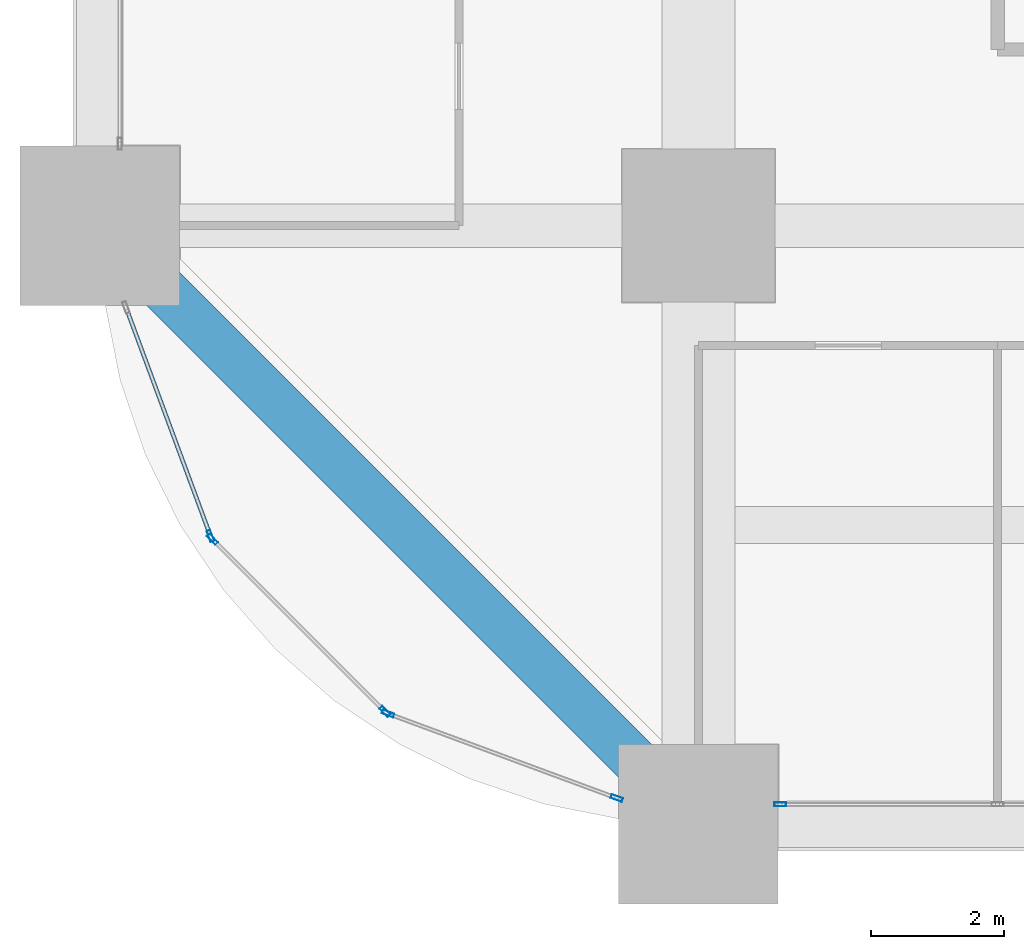
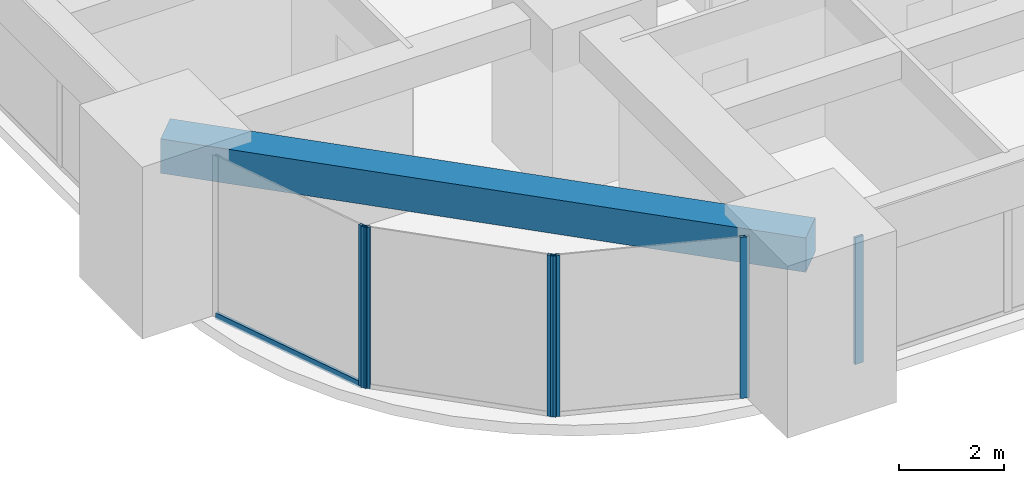
# One storey, part 2 of 44: 7 members, 1 beam, 4 elements without a shape of their own.
"""IFC4 building model written with IfcOpenShell, lengths in metres."""

from ifc_helpers import new_model, si_unit, direction, frame, origin, origin_2d, place, context, subcontext, project, spatial, rectangle, hollow_rectangle, extrude, material, material_profile, profile_set, type_object, element, aggregate, save


model = new_model("IFC4")

# Units and contexts
model_context = context("Model", 3, precision=1e-05, world=origin(), true_north=direction((0.0, 1.0)))
body_context = subcontext(model_context, "Body", "Model", "MODEL_VIEW")
ifc_project = project(units=[si_unit("LENGTHUNIT", "METRE"), si_unit("AREAUNIT", "SQUARE_METRE"), si_unit("VOLUMEUNIT", "CUBIC_METRE"), si_unit("PLANEANGLEUNIT", "RADIAN"), si_unit("MASSUNIT", "GRAM", prefix="KILO")], contexts=[model_context])

# Site, building, storey
site_placement = place(None, origin())
site = spatial("IfcSite", under=ifc_project, at=site_placement, CompositionType="ELEMENT")
building_placement = place(site_placement, origin())
building = spatial("IfcBuilding", under=site, at=building_placement, Name="Zorevar Civic Tower", CompositionType="ELEMENT")
storey_placement = place(building_placement, frame((0.0, 0.0, 31.800048828125)))
storey = spatial("IfcBuildingStorey", under=building, at=storey_placement, Name="L07", CompositionType="ELEMENT", Elevation=31.800048828125)

# Curtain wall, member
ifc_material_1 = material(Name="Dark grey solar-control glass in black aluminium frame", Category="aluminium")
curtain_wall_type = type_object("IfcCurtainWallType", Name="Curtain wall CW2 low zone", PredefinedType="NOTDEFINED", material=ifc_material_1)
curtain_wall_1_placement = place(storey_placement, origin())
curtain_wall_1 = element("IfcCurtainWall", 1, at=curtain_wall_1_placement, inside=storey, type_object=curtain_wall_type, Name="CW2 L07", PredefinedType="NOTDEFINED")
ifc_material_2 = material(Name="Aluminium, black anodised", Category="aluminium")
ifc_material_profile_1 = material_profile(ifc_material_2, hollow_rectangle(XDim=0.06005859375, YDim=0.179931640625, WallThickness=0.00390625, at=origin_2d()), Name="AL 180x60x4")
ifc_profile_set_1 = profile_set([ifc_material_profile_1], Name="Aluminium, black anodised")
member_type_1 = type_object("IfcMemberType", Name="CW2 mullion AL 180x60x4", PredefinedType="MULLION", material=ifc_profile_set_1)
member_1_placement = place(storey_placement, frame((10.22998046875, 0.300048828125, 0.0), z_axis=(0.0, 0.0, 1.0), x_axis=(0.0, 1.0, 0.0)))
member_1 = element("IfcMember", 2, at=member_1_placement, type_object=member_type_1, Name="CW2 mullion 1", PredefinedType="MULLION", context=body_context, shape_type="SweptSolid", body=[
    extrude(hollow_rectangle(XDim=0.06005859375, YDim=0.179931640625, WallThickness=0.00390625, at=origin_2d()), origin(), (0.0, 0.0, 1.0), 2.949951171875),
])
aggregate(curtain_wall_1, [member_1])

curtain_wall_2_placement = place(storey_placement, origin())
curtain_wall_2 = element("IfcCurtainWall", 3, at=curtain_wall_2_placement, inside=storey, type_object=curtain_wall_type, Name="CW2 L07", PredefinedType="NOTDEFINED")
member_2_placement = place(storey_placement, frame((1.663818359375, 4.33544921875, 0.0), z_axis=(0.0, 0.0, 1.0), x_axis=(0.937974588163, 0.346704012033, 0.0)))
member_2 = element("IfcMember", 4, at=member_2_placement, type_object=member_type_1, Name="CW2 mullion 2", PredefinedType="MULLION", context=body_context, shape_type="SweptSolid", body=[
    extrude(hollow_rectangle(XDim=0.06005859375, YDim=0.179931640625, WallThickness=0.00390625, at=origin_2d()), origin(), (0.0, 0.0, 1.0), 3.75),
])

# Curtain wall, members
curtain_wall_3_placement = place(storey_placement, origin())
curtain_wall_3 = element("IfcCurtainWall", 5, at=curtain_wall_3_placement, inside=storey, type_object=curtain_wall_type, Name="CW2 L07", PredefinedType="NOTDEFINED")
member_3_placement = place(storey_placement, frame((1.6953125, 4.2861328125, 0.0), z_axis=(0.0, 0.0, 1.0), x_axis=(0.707106781187, 0.707106781187, 0.0)))
member_3 = element("IfcMember", 6, at=member_3_placement, type_object=member_type_1, Name="CW2 mullion 1", PredefinedType="MULLION", context=body_context, shape_type="SweptSolid", body=[
    extrude(hollow_rectangle(XDim=0.06005859375, YDim=0.179931640625, WallThickness=0.00390625, at=origin_2d()), origin(), (0.0, 0.0, 1.0), 3.75),
])
member_4_placement = place(storey_placement, frame((4.2861328125, 1.6953125, 0.0), z_axis=(0.0, 0.0, 1.0), x_axis=(0.707106781187, 0.707106781187, 0.0)))
member_4 = element("IfcMember", 7, at=member_4_placement, type_object=member_type_1, Name="CW2 mullion 2", PredefinedType="MULLION", context=body_context, shape_type="SweptSolid", body=[
    extrude(hollow_rectangle(XDim=0.06005859375, YDim=0.179931640625, WallThickness=0.00390625, at=origin_2d()), origin(), (0.0, 0.0, 1.0), 3.75),
])
aggregate(curtain_wall_3, [member_3, member_4])

curtain_wall_4_placement = place(storey_placement, origin())
curtain_wall_4 = element("IfcCurtainWall", 8, at=curtain_wall_4_placement, inside=storey, type_object=curtain_wall_type, Name="CW2 L07", PredefinedType="NOTDEFINED")
member_5_placement = place(storey_placement, frame((4.33544921875, 1.663818359375, 0.0), z_axis=(0.0, 0.0, 1.0), x_axis=(0.346704012033, 0.937974588163, 0.0)))
member_5 = element("IfcMember", 9, at=member_5_placement, type_object=member_type_1, Name="CW2 mullion 1", PredefinedType="MULLION", context=body_context, shape_type="SweptSolid", body=[
    extrude(hollow_rectangle(XDim=0.06005859375, YDim=0.179931640625, WallThickness=0.00390625, at=origin_2d()), origin(), (0.0, 0.0, 1.0), 3.75),
])
member_6_placement = place(storey_placement, frame((7.77197265625, 0.3935546875, 0.0), z_axis=(0.0, 0.0, 1.0), x_axis=(0.346704012033, 0.937974588163, 0.0)))
member_6 = element("IfcMember", 10, at=member_6_placement, type_object=member_type_1, Name="CW2 mullion 2", PredefinedType="MULLION", context=body_context, shape_type="SweptSolid", body=[
    extrude(hollow_rectangle(XDim=0.06005859375, YDim=0.179931640625, WallThickness=0.00390625, at=origin_2d()), origin(), (0.0, 0.0, 1.0), 3.75),
])
aggregate(curtain_wall_4, [member_5, member_6])

# Member
ifc_material_3 = material(Name="Aluminium, black anodised", Category="aluminium")
ifc_material_profile_2 = material_profile(ifc_material_3, hollow_rectangle(XDim=0.06005859375, YDim=0.14990234375, WallThickness=0.00390625, at=origin_2d()), Name="AL 150x60x4")
ifc_profile_set_2 = profile_set([ifc_material_profile_2], Name="Aluminium, black anodised")
member_type_2 = type_object("IfcMemberType", Name="CW2 transom AL 150x60x4", PredefinedType="USERDEFINED", material=ifc_profile_set_2)
member_7_placement = place(storey_placement, frame((0.404052734375, 7.74365234375, 0.030029296875), z_axis=(0.346672169799, -0.93798635741, 0.0), x_axis=(0.93798635741, 0.346672169799, 0.0)))
member_7 = element("IfcMember", 11, at=member_7_placement, type_object=member_type_2, Name="CW2 sill transom", ObjectType="TRANSOM", PredefinedType="USERDEFINED", context=body_context, shape_type="SweptSolid", body=[
    extrude(hollow_rectangle(XDim=0.06005859375, YDim=0.14990234375, WallThickness=0.00390625, at=origin_2d()), origin(), (0.0, 0.0, 1.0), 3.603515625),
])

aggregate(curtain_wall_2, [member_2, member_7])

# Beam
ifc_material_4 = material(Name="Concrete C50/60", Category="concrete")
ifc_material_profile_3 = material_profile(ifc_material_4, rectangle(XDim=0.699951171875, YDim=0.800048828125, at=origin_2d()), Name="RC 700x800")
ifc_profile_set_3 = profile_set([ifc_material_profile_3], Name="Concrete C50/60")
beam_type = type_object("IfcBeamType", Name="Edge beam RC 700x800", PredefinedType="SPANDREL", material=ifc_profile_set_3)
beam_placement = place(storey_placement, frame((0.0, 9.0, 3.349853515625), z_axis=(0.707106781187, -0.707106781187, 0.0), x_axis=(0.707106781187, 0.707106781187, 0.0)))
element("IfcBeam", 12, at=beam_placement, inside=storey, type_object=beam_type, Name="Corner edge beam L08", PredefinedType="SPANDREL", context=body_context, shape_type="SweptSolid", body=[
    extrude(rectangle(XDim=0.699951171875, YDim=0.800048828125, at=origin_2d()), origin(), (0.0, 0.0, 1.0), 12.72802734375),
])

save(model, "model.ifc")
